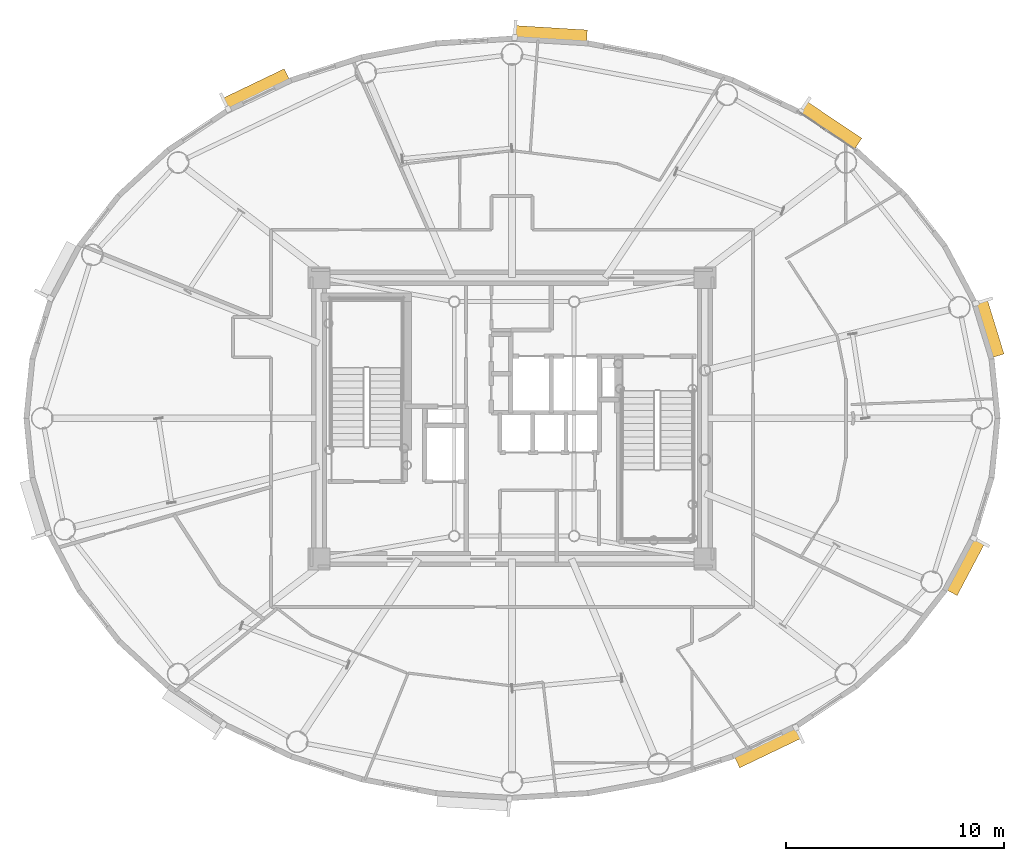
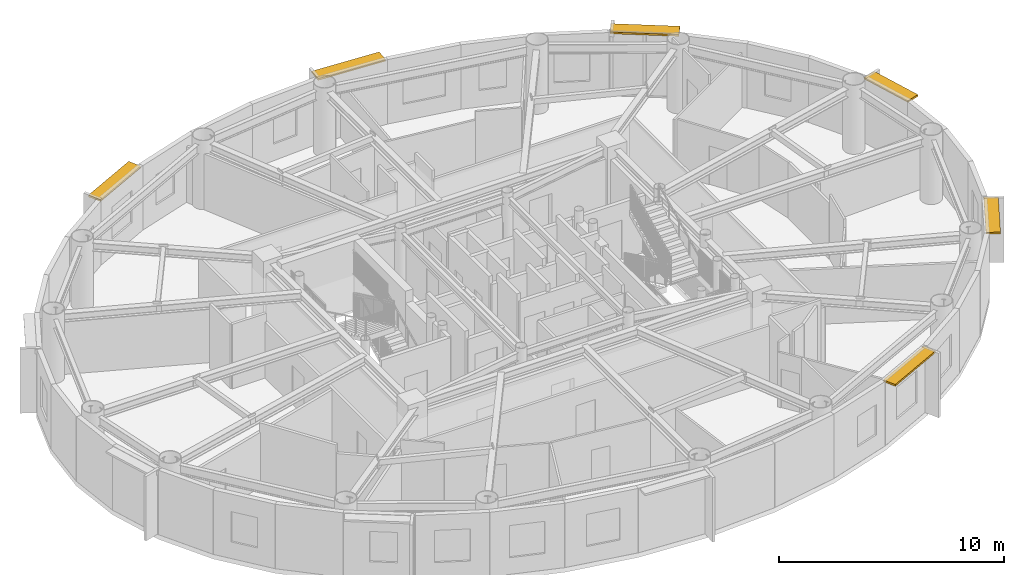
# One storey, part 17 of 17: 6 shading devices.
"""IFC4 building model written with IfcOpenShell, lengths in metres."""

import ifcopenshell
import ifcopenshell.guid

model = None  # the IFC model being written
_history = None  # IfcOwnerHistory: only IFC2X3 demands one
_inside = {}  # id of a spatial element -> (the spatial element, [elements in it])
_under = {}  # id of a project, library or spatial element -> (it, [spatial elements below it])
_declared = {}  # id of a project -> (the project, [libraries it declares])
_typed = {}  # id of a type object -> (the type object, [elements of that type])
_made_of = {}  # id of a material, layer set ... -> (it, [elements and type objects made of it])


def new_model(schema):
    """Start an empty IFC model of exactly this schema.

    Asked for "IFC4X3", IfcOpenShell would pick the latest addendum, in which some entities
    have other attributes; the version numbers below select the first issue.
    IFC2X3 requires an IfcOwnerHistory on every rooted entity: one is made here for all.
    """
    global model, _history
    if schema == "IFC4X3":
        model = ifcopenshell.file(schema_version=(4, 3, 0, 0))
    else:
        model = ifcopenshell.file(schema=schema)
    _inside.clear()
    _under.clear()
    _declared.clear()
    _typed.clear()
    _made_of.clear()
    _history = None
    if model.schema == "IFC2X3":
        org = make("IfcOrganization", Name="unknown")
        user = make(
            "IfcPersonAndOrganization",
            ThePerson=make("IfcPerson", FamilyName="unknown"),
            TheOrganization=org,
        )
        app = make(
            "IfcApplication",
            ApplicationDeveloper=org,
            Version="unknown",
            ApplicationFullName="unknown",
            ApplicationIdentifier="unknown",
        )
        _history = make(
            "IfcOwnerHistory",
            OwningUser=user,
            OwningApplication=app,
            ChangeAction="ADDED",
            CreationDate=0,
        )
    return model


def make(cls, **values):
    """One entity of the class cls with the attributes given. An attribute that is None is left unset."""
    return model.create_entity(
        cls, **{name: value for name, value in values.items() if value is not None}
    )


def rooted(cls, **values):
    """An entity with a GlobalId (a new one), such as an element, a storey or a relation."""
    return make(cls, GlobalId=ifcopenshell.guid.new(), OwnerHistory=_history, **values)


def si_unit(unit_type, name, prefix=None):
    """IfcSIUnit, for example si_unit("LENGTHUNIT", "METRE", prefix="MILLI")."""
    return make("IfcSIUnit", UnitType=unit_type, Prefix=prefix, Name=name)


def assignment(units):
    """IfcUnitAssignment: the units of a project."""
    return None if units is None else make("IfcUnitAssignment", Units=units)


def point(xyz):
    """IfcCartesianPoint."""
    return None if xyz is None else make("IfcCartesianPoint", Coordinates=xyz)


def direction(xyz):
    """IfcDirection."""
    return None if xyz is None else make("IfcDirection", DirectionRatios=xyz)


def frame(location, z_axis=None, x_axis=None):
    """IfcAxis2Placement3D, a coordinate frame: its origin and axes. An axis left out is left unset."""
    return make(
        "IfcAxis2Placement3D",
        Location=point(location),
        Axis=direction(z_axis),
        RefDirection=direction(x_axis),
    )


def frame_2d(location, x_axis=None):
    """IfcAxis2Placement2D, a coordinate frame in the plane: its origin and x axis."""
    return make(
        "IfcAxis2Placement2D", Location=point(location), RefDirection=direction(x_axis)
    )


def origin():
    """The frame at (0, 0, 0) with its axes left unset."""
    return frame((0.0, 0.0, 0.0))


def origin_2d():
    """The frame at (0, 0) in the plane with its x axis left unset."""
    return frame_2d((0.0, 0.0))


def place(relative_to, where):
    """IfcLocalPlacement: puts the frame where relative to a parent placement (None: the world)."""
    return make(
        "IfcLocalPlacement", PlacementRelTo=relative_to, RelativePlacement=where
    )


def context(
    kind, dimensions, precision=None, world=None, true_north=None, identifier=None
):
    """IfcGeometricRepresentationContext, for example the 3D "Model" context."""
    return make(
        "IfcGeometricRepresentationContext",
        ContextIdentifier=identifier,
        ContextType=kind,
        CoordinateSpaceDimension=dimensions,
        Precision=precision,
        WorldCoordinateSystem=world,
        TrueNorth=true_north,
    )


def subcontext(parent, identifier, kind, view, scale=None):
    """IfcGeometricRepresentationSubContext, for example "Body" below "Model"."""
    return make(
        "IfcGeometricRepresentationSubContext",
        ContextIdentifier=identifier,
        ContextType=kind,
        ParentContext=parent,
        TargetScale=scale,
        TargetView=view,
    )


def project(units=None, contexts=None):
    """IfcProject with its units and contexts."""
    return rooted(
        "IfcProject",
        Name="project",
        RepresentationContexts=contexts,
        UnitsInContext=assignment(units),
    )


def spatial(cls, under=None, at=None, **own):
    """A site, building, storey or space (cls), placed at a placement, below another one or the project."""
    s = rooted(cls, ObjectPlacement=at, **own)
    if under is not None:
        _under.setdefault(under.id(), (under, []))[1].append(s)
    return s


def profile(cls, at=None, kind="AREA", **sizes):
    """A parametric profile (cls). Its sizes go by their IFC names, for example OverallWidth=200.0."""
    return make(cls, ProfileType=kind, Position=at, **sizes)


def rectangle(**sizes):
    """IfcRectangleProfileDef."""
    return profile("IfcRectangleProfileDef", **sizes)


def extrude(swept, where, along, depth):
    """IfcExtrudedAreaSolid: the profile swept, set in the frame where, extruded along a direction by depth."""
    return make(
        "IfcExtrudedAreaSolid",
        SweptArea=swept,
        Position=where,
        ExtrudedDirection=direction(along),
        Depth=depth,
    )


def shape(context_of_items, identifier, shape_type, items):
    """IfcShapeRepresentation: the items that make up one representation, for example the "Body"."""
    return make(
        "IfcShapeRepresentation",
        ContextOfItems=context_of_items,
        RepresentationIdentifier=identifier,
        RepresentationType=shape_type,
        Items=items,
    )


def source(mapping_origin, context_of_items, identifier, shape_type, items):
    """IfcRepresentationMap: a shape defined once, which mapped items show again and again."""
    return make(
        "IfcRepresentationMap",
        MappingOrigin=mapping_origin,
        MappedRepresentation=shape(context_of_items, identifier, shape_type, items),
    )


def transform(
    local_origin,
    x_axis=None,
    y_axis=None,
    z_axis=None,
    scale=None,
    scale2=None,
    scale3=None,
    uniform=True,
):
    """IfcCartesianTransformationOperator3D, or its non-uniform kind. x_axis, y_axis, z_axis: its Axis1, 2, 3."""
    if uniform:
        return make(
            "IfcCartesianTransformationOperator3D",
            Axis1=direction(x_axis),
            Axis2=direction(y_axis),
            LocalOrigin=point(local_origin),
            Scale=scale,
            Axis3=direction(z_axis),
        )
    return make(
        "IfcCartesianTransformationOperator3DnonUniform",
        Axis1=direction(x_axis),
        Axis2=direction(y_axis),
        LocalOrigin=point(local_origin),
        Scale=scale,
        Axis3=direction(z_axis),
        Scale2=scale2,
        Scale3=scale3,
    )


def mapped(mapping_source, mapping_target):
    """IfcMappedItem: shows the shape of a source again, moved by a transform."""
    return make(
        "IfcMappedItem", MappingSource=mapping_source, MappingTarget=mapping_target
    )


def material(Name=None, Category=None):
    """IfcMaterial."""
    return make("IfcMaterial", Name=Name, Category=Category)


def layer(
    of_material, thickness, ventilated=None, Name=None, Category=None, Priority=None
):
    """IfcMaterialLayer: one layer of a wall or slab, of a material (None: an air gap)."""
    return make(
        "IfcMaterialLayer",
        Material=of_material,
        LayerThickness=thickness,
        IsVentilated=ventilated,
        Name=Name,
        Category=Category,
        Priority=Priority,
    )


def layer_set(layers, Name=None):
    """IfcMaterialLayerSet."""
    return make("IfcMaterialLayerSet", MaterialLayers=layers, LayerSetName=Name)


def made_of(thing, what):
    """Note that an element or type object is made of a material, layer set ...; save() writes the relation."""
    if what is not None:
        _made_of.setdefault(what.id(), (what, []))[1].append(thing)
    return thing


def type_object(cls, material=None, **own):
    """A type object (cls), such as IfcWallType, which elements share."""
    return made_of(rooted(cls, **own), material)


def element(
    cls,
    number,
    at=None,
    inside=None,
    cuts=None,
    type_object=None,
    material=None,
    context=None,
    identifier="Body",
    shape_type=None,
    held_by="IfcProductDefinitionShape",
    body=None,
    shapes=None,
    **own,
):
    """One element of the class cls, such as IfcWall. Its Tag is "e" and its number.

    at: its placement. inside: the storey or other place that contains it. cuts: it is an
    opening in that element (IfcRelVoidsElement). A single representation is given by context,
    identifier, shape_type and body (its items); several are given by shapes. held_by: the class
    of the entity that holds the representations. save() writes the other relations.
    """
    e = rooted(cls, Tag="e%d" % number, ObjectPlacement=at, **own)
    if body is not None:
        shapes = [shape(context, identifier, shape_type, body)]
    if shapes is not None:
        e.Representation = make(held_by, Representations=shapes)
    if inside is not None:
        _inside.setdefault(inside.id(), (inside, []))[1].append(e)
    if cuts is not None:
        rooted(
            "IfcRelVoidsElement", RelatingBuildingElement=cuts, RelatedOpeningElement=e
        )
    if type_object is not None:
        _typed.setdefault(type_object.id(), (type_object, []))[1].append(e)
    return made_of(e, material)


def aggregate(whole, parts):
    """IfcRelAggregates: a whole, such as a stair, and the parts it consists of."""
    return rooted("IfcRelAggregates", RelatingObject=whole, RelatedObjects=parts)


def save(model, path):
    """Write the relations noted so far, then the file.

    IfcRelAggregates (storeys below a building ...), IfcRelContainedInSpatialStructure (elements
    in a storey), IfcRelDefinesByType, IfcRelAssociatesMaterial and IfcRelDeclares: one each for
    every whole, place, type object, material and project.
    """
    for whole, parts in _under.values():
        aggregate(whole, parts)
    for where, things in _inside.values():
        rooted(
            "IfcRelContainedInSpatialStructure",
            RelatedElements=things,
            RelatingStructure=where,
        )
    for kind, things in _typed.values():
        rooted("IfcRelDefinesByType", RelatedObjects=things, RelatingType=kind)
    for what, things in _made_of.values():
        rooted("IfcRelAssociatesMaterial", RelatedObjects=things, RelatingMaterial=what)
    for by, libraries in _declared.values():
        rooted("IfcRelDeclares", RelatingContext=by, RelatedDefinitions=libraries)
    model.write(path)


model = new_model("IFC4")

# Units and contexts
model_context = context("Model", 3, precision=1e-05, world=origin(), true_north=direction((0.0, 1.0)))
body_context = subcontext(model_context, "Body", "Model", "MODEL_VIEW")
ifc_project = project(units=[si_unit("LENGTHUNIT", "METRE"), si_unit("AREAUNIT", "SQUARE_METRE"), si_unit("VOLUMEUNIT", "CUBIC_METRE"), si_unit("PLANEANGLEUNIT", "RADIAN"), si_unit("MASSUNIT", "GRAM", prefix="KILO")], contexts=[model_context])

# Site, building, storey
site_placement = place(None, origin())
site = spatial("IfcSite", under=ifc_project, at=site_placement, CompositionType="ELEMENT")
building_placement = place(site_placement, origin())
building = spatial("IfcBuilding", under=site, at=building_placement, Name="Linh Dai School and Residence Tower", CompositionType="ELEMENT")
storey_placement = place(building_placement, frame((0.0, 0.0, 310.5)))
storey = spatial("IfcBuildingStorey", under=building, at=storey_placement, Name="L77", CompositionType="ELEMENT", Elevation=310.5)

# Shading devices
ifc_material = material(Name="Terracotta Ceramic Sunshade", Category="masonry")
ifc_layer = layer(ifc_material, 0.10009765625)
ifc_layer_set = layer_set([ifc_layer], Name="Terracotta Ceramic Sunshade")
shading_device_type = type_object("IfcShadingDeviceType", Name="SHD-TC-650", PredefinedType="USERDEFINED", material=ifc_layer_set)
shared_shape_1 = source(origin(), body_context, "Body", "SweptSolid", [
    extrude(rectangle(XDim=2.6640625, YDim=0.64990234375, at=origin_2d()), origin(), (0.0, 0.0, 1.0), 0.10009765625),
])
shading_device_1_placement = place(storey_placement, frame((57.867431640625, 31.129150390625, 3.3798828125), z_axis=(0.0, 0.0, 1.0), x_axis=(0.293140945944, -0.956069236934, 0.0)))
element("IfcShadingDevice", 1, at=shading_device_1_placement, inside=storey, type_object=shading_device_type, Name="L77 Terracotta Horizontal Sunshade Band 02", ObjectType="SUNSHADE", PredefinedType="USERDEFINED", context=body_context, shape_type="MappedRepresentation", body=[
    mapped(shared_shape_1, transform((0.0, 0.0, 0.0), x_axis=(1.0, 0.0, 0.0), y_axis=(0.0, 1.0, 0.0), z_axis=(0.0, 0.0, 1.0), scale=1.0)),
])
shared_shape_2 = source(origin(), body_context, "Body", "SweptSolid", [
    extrude(rectangle(XDim=3.069091796875, YDim=0.64990234375, at=origin_2d()), origin(), (0.0, 0.0, 1.0), 0.10009765625),
])
shading_device_2_placement = place(storey_placement, frame((50.591796875, 40.4296875, 3.3798828125), z_axis=(0.0, 0.0, 1.0), x_axis=(0.831243873264, -0.555907926874, 0.0)))
element("IfcShadingDevice", 2, at=shading_device_2_placement, inside=storey, type_object=shading_device_type, Name="L77 Terracotta Horizontal Sunshade Band 06", ObjectType="SUNSHADE", PredefinedType="USERDEFINED", context=body_context, shape_type="MappedRepresentation", body=[
    mapped(shared_shape_2, transform((0.0, 0.0, 0.0), x_axis=(1.0, 0.0, 0.0), y_axis=(0.0, 1.0, 0.0), z_axis=(0.0, 0.0, 1.0), scale=1.0)),
])
shared_shape_3 = source(origin(), body_context, "Body", "SweptSolid", [
    extrude(rectangle(XDim=3.355712890625, YDim=0.64990234375, at=origin_2d()), origin(), (0.0, 0.0, 1.0), 0.10009765625),
])
shading_device_3_placement = place(storey_placement, frame((37.761962890625, 44.592041015625, 3.3798828125), z_axis=(0.0, 0.0, 1.0), x_axis=(0.998106469364, -0.061509965157, 0.0)))
element("IfcShadingDevice", 3, at=shading_device_3_placement, inside=storey, type_object=shading_device_type, Name="L77 Terracotta Horizontal Sunshade Band 10", ObjectType="SUNSHADE", PredefinedType="USERDEFINED", context=body_context, shape_type="MappedRepresentation", body=[
    mapped(shared_shape_3, transform((0.0, 0.0, 0.0), x_axis=(1.0, 0.0, 0.0), y_axis=(0.0, 1.0, 0.0), z_axis=(0.0, 0.0, 1.0), scale=1.0)),
])
shared_shape_4 = source(origin(), body_context, "Body", "SweptSolid", [
    extrude(rectangle(XDim=3.1748046875, YDim=0.64990234375, at=origin_2d()), origin(), (0.0, 0.0, 1.0), 0.10009765625),
])
for number, where, z_axis, x_axis, name in (
    (4, (24.262939453125, 42.0537109375, 3.3798828125), (0.0, 0.0, 1.0), (0.901580240323, 0.432611916456, 0.0), "L77 Terracotta Horizontal Sunshade Band 14"),
    (5, (47.737060546875, 11.9462890625, 3.3798828125), (0.0, 0.0, 1.0), (-0.901580240323, -0.432611916456, 0.0), "L77 Terracotta Horizontal Sunshade Band 34"),
):
    element("IfcShadingDevice", number, at=place(storey_placement, frame(where, z_axis=z_axis, x_axis=x_axis)), inside=storey, type_object=shading_device_type, Name=name, ObjectType="SUNSHADE", PredefinedType="USERDEFINED", context=body_context, shape_type="MappedRepresentation", body=[
        mapped(shared_shape_4, transform((0.0, 0.0, 0.0), x_axis=(1.0, 0.0, 0.0), y_axis=(0.0, 1.0, 0.0), z_axis=(0.0, 0.0, 1.0), scale=1.0)),
    ])
shared_shape_5 = source(origin(), body_context, "Body", "SweptSolid", [
    extrude(rectangle(XDim=2.739501953125, YDim=0.64990234375, at=origin_2d()), origin(), (0.0, 0.0, 1.0), 0.10009765625),
])
shading_device_4_placement = place(storey_placement, frame((56.77294921875, 20.233154296875, 3.3798828125), z_axis=(0.0, 0.0, 1.0), x_axis=(-0.467603531201, -0.883938310975, 0.0)))
element("IfcShadingDevice", 6, at=shading_device_4_placement, inside=storey, type_object=shading_device_type, Name="L77 Terracotta Horizontal Sunshade Band 38", ObjectType="SUNSHADE", PredefinedType="USERDEFINED", context=body_context, shape_type="MappedRepresentation", body=[
    mapped(shared_shape_5, transform((0.0, 0.0, 0.0), x_axis=(1.0, 0.0, 0.0), y_axis=(0.0, 1.0, 0.0), z_axis=(0.0, 0.0, 1.0), scale=1.0)),
])

save(model, "model.ifc")
